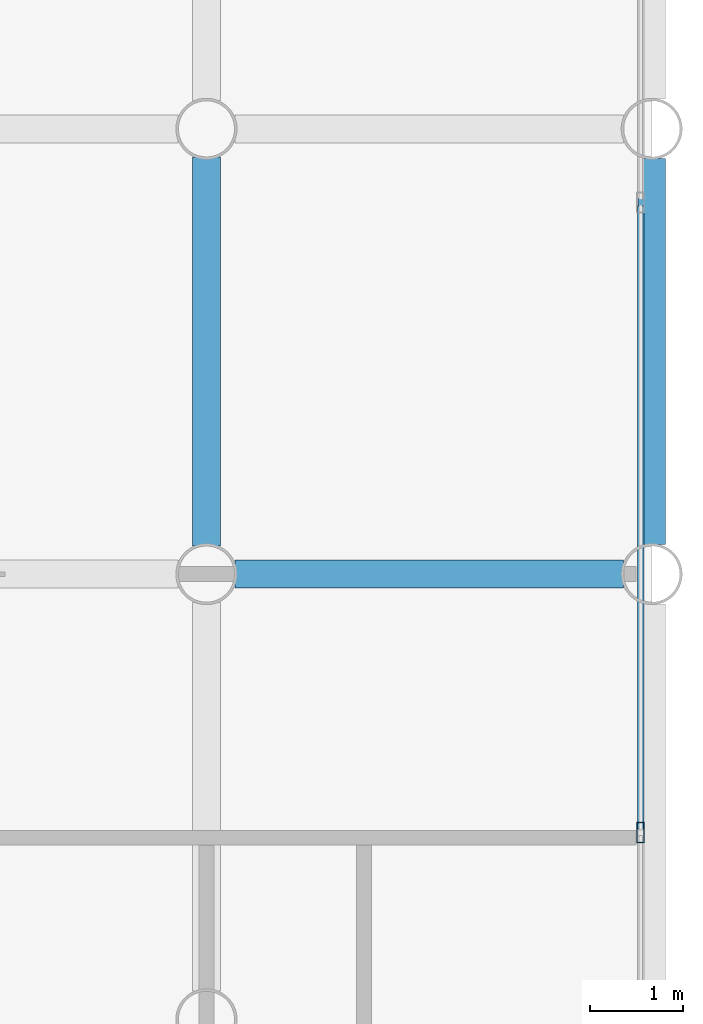
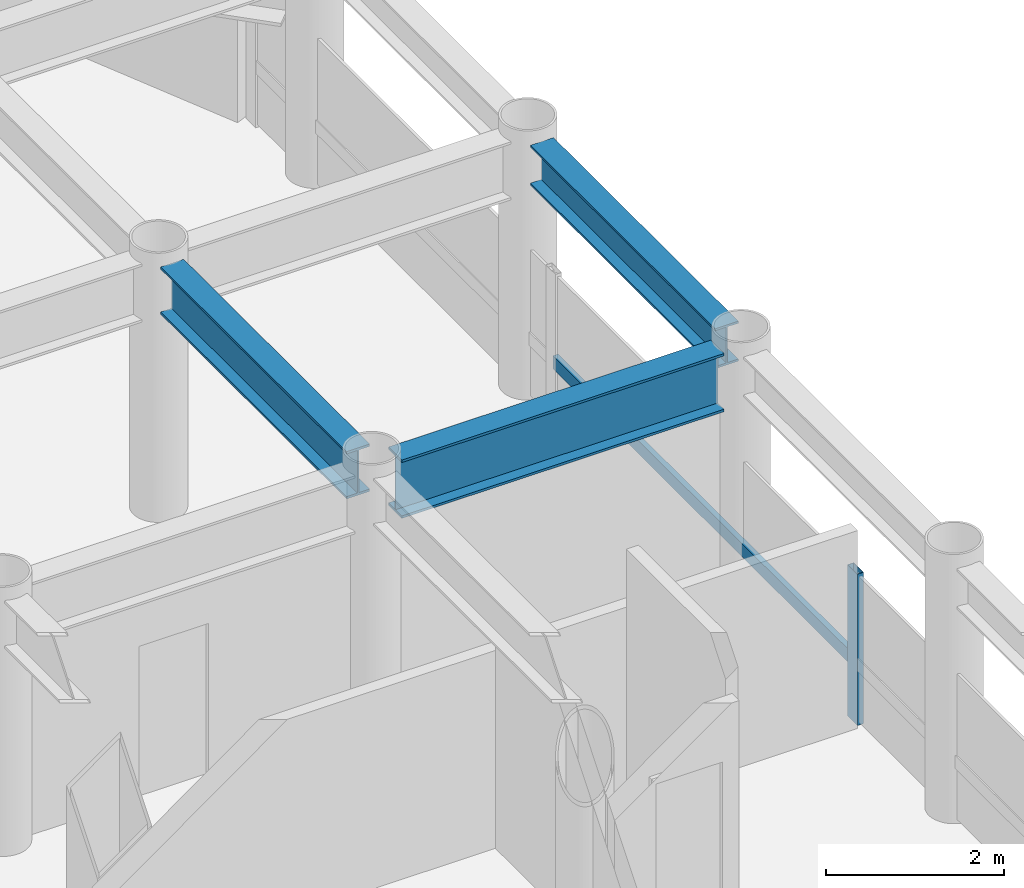
# One storey, part 10 of 22: 3 beams, 2 members, 1 element without a shape of its own.
"""IFC4 building model written with IfcOpenShell, lengths in metres."""

from ifc_helpers import new_model, si_unit, direction, frame, origin, origin_2d, place, context, subcontext, project, spatial, hollow_rectangle, i_section, extrude, material, layer, layer_set, material_profile, profile_set, type_object, element, aggregate, save


model = new_model("IFC4")

# Units and contexts
model_context = context("Model", 3, precision=1e-05, world=origin(), true_north=direction((0.0, 1.0)))
body_context = subcontext(model_context, "Body", "Model", "MODEL_VIEW")
ifc_project = project(units=[si_unit("LENGTHUNIT", "METRE"), si_unit("AREAUNIT", "SQUARE_METRE"), si_unit("VOLUMEUNIT", "CUBIC_METRE"), si_unit("PLANEANGLEUNIT", "RADIAN"), si_unit("MASSUNIT", "GRAM", prefix="KILO")], contexts=[model_context])

# Site, building, storey
site_placement = place(None, origin())
site = spatial("IfcSite", under=ifc_project, at=site_placement, CompositionType="ELEMENT")
building_placement = place(site_placement, origin())
building = spatial("IfcBuilding", under=site, at=building_placement, Name="Kallvorn Hotel Tower", CompositionType="ELEMENT")
storey_placement = place(building_placement, frame((0.0, 0.0, 106.300048828125)))
storey = spatial("IfcBuildingStorey", under=building, at=storey_placement, Name="L25", CompositionType="ELEMENT", Elevation=106.300048828125)

# Beams
ifc_material_1 = material(Name="Structural steel S355JR", Category="steel")
ifc_material_profile_1 = material_profile(ifc_material_1, i_section(OverallWidth=0.300048828125, OverallDepth=0.550048828125, WebThickness=0.014892578125, FlangeThickness=0.029052734375, at=origin_2d()), Name="HE 550 B")
ifc_profile_set_1 = profile_set([ifc_material_profile_1], Name="Structural steel S355JR")
beam_type_1 = type_object("IfcBeamType", Name="BM_HE550B", PredefinedType="SPANDREL", material=ifc_profile_set_1)
beam_1_placement = place(storey_placement, frame((33.60009765625, 9.919921875, 3.244873046875), z_axis=(0.0, 1.0, 0.0), x_axis=(-1.0, 0.0, 0.0)))
element("IfcBeam", 1, at=beam_1_placement, inside=storey, type_object=beam_type_1, Name="L26 Perimeter Spandrel 187", PredefinedType="SPANDREL", context=body_context, shape_type="SweptSolid", body=[
    extrude(i_section(OverallWidth=0.300048828125, OverallDepth=0.550048828125, WebThickness=0.014892578125, FlangeThickness=0.029052734375, at=origin_2d()), origin(), (0.0, 0.0, 1.0), 4.16015625),
])
ifc_material_2 = material(Name="Structural steel S355JR", Category="steel")
ifc_material_profile_2 = material_profile(ifc_material_2, i_section(OverallWidth=0.300048828125, OverallDepth=0.64990234375, WebThickness=0.01611328125, FlangeThickness=0.031005859375, at=origin_2d()), Name="HE 650 B")
ifc_profile_set_2 = profile_set([ifc_material_profile_2], Name="Structural steel S355JR")
beam_type_2 = type_object("IfcBeamType", Name="BM_HE650B", PredefinedType="BEAM", material=ifc_profile_set_2)
beam_2_placement = place(storey_placement, frame((28.800048828125, 9.905029296875, 3.195068359375), z_axis=(0.0, 1.0, 0.0), x_axis=(-1.0, 0.0, 0.0)))
element("IfcBeam", 2, at=beam_2_placement, inside=storey, type_object=beam_type_2, Name="L26 Primary Y-Girder 148", PredefinedType="BEAM", context=body_context, shape_type="SweptSolid", body=[
    extrude(i_section(OverallWidth=0.300048828125, OverallDepth=0.64990234375, WebThickness=0.01611328125, FlangeThickness=0.031005859375, at=origin_2d()), origin(), (0.0, 0.0, 1.0), 4.18994140625),
])
ifc_material_3 = material(Name="Structural steel S355JR", Category="steel")
ifc_material_profile_3 = material_profile(ifc_material_3, i_section(OverallWidth=0.300048828125, OverallDepth=0.800048828125, WebThickness=0.017578125, FlangeThickness=0.032958984375, at=origin_2d()), Name="HE 800 B")
ifc_profile_set_3 = profile_set([ifc_material_profile_3], Name="Structural steel S355JR")
beam_type_3 = type_object("IfcBeamType", Name="BM_HE800B", PredefinedType="BEAM", material=ifc_profile_set_3)
beam_3_placement = place(storey_placement, frame((29.10498046875, 9.60009765625, 3.119873046875), z_axis=(1.0, 0.0, 0.0), x_axis=(0.0, 1.0, 0.0)))
element("IfcBeam", 3, at=beam_3_placement, inside=storey, type_object=beam_type_3, Name="L26 Primary X-Girder 49", PredefinedType="BEAM", context=body_context, shape_type="SweptSolid", body=[
    extrude(i_section(OverallWidth=0.300048828125, OverallDepth=0.800048828125, WebThickness=0.017578125, FlangeThickness=0.032958984375, at=origin_2d()), origin(), (0.0, 0.0, 1.0), 4.18994140625),
])

# Curtain wall, members
ifc_material_4 = material(Name="Thermally broken black-anodised aluminium AA 6063-T6", Category="aluminium")
ifc_layer = layer(ifc_material_4, 0.199951171875)
ifc_layer_set = layer_set([ifc_layer], Name="CW_SYS_3_HOTEL_LOW")
curtain_wall_type = type_object("IfcCurtainWallType", Name="CW_SYS_3_HOTEL_LOW", PredefinedType="USERDEFINED", material=ifc_layer_set)
curtain_wall_placement = place(storey_placement, origin())
curtain_wall = element("IfcCurtainWall", 4, at=curtain_wall_placement, inside=storey, type_object=curtain_wall_type, Name="L25 Dark-Glass Curtain Wall CW-L25-EN", ObjectType="UNITISED CURTAIN WALL", PredefinedType="USERDEFINED")
ifc_material_5 = material(Name="Thermally broken black-anodised aluminium AA 6063-T6", Category="aluminium")
ifc_material_profile_4 = material_profile(ifc_material_5, hollow_rectangle(XDim=0.080078125, YDim=0.219970703125, WallThickness=0.0048828125, at=origin_2d()), Name="MUL 220x80")
ifc_profile_set_4 = profile_set([ifc_material_profile_4], Name="Thermally broken black-anodised aluminium AA 6063-T6")
member_type_1 = type_object("IfcMemberType", Name="CW_MULLION_220x80", PredefinedType="MULLION", material=ifc_profile_set_4)
member_1_placement = place(storey_placement, frame((33.47998046875, 6.813232421875, 0.02001953125), z_axis=(0.0, 0.0, 1.0), x_axis=(1.0, 0.0, 0.0)))
member_1 = element("IfcMember", 5, at=member_1_placement, type_object=member_type_1, Name="CW-L25-EN Mullion 01", PredefinedType="MULLION", context=body_context, shape_type="SweptSolid", body=[
    extrude(hollow_rectangle(XDim=0.080078125, YDim=0.219970703125, WallThickness=0.0048828125, at=origin_2d()), origin(), (0.0, 0.0, 1.0), 2.079833984375),
])
ifc_material_6 = material(Name="Thermally broken black-anodised aluminium AA 6063-T6", Category="aluminium")
ifc_material_profile_5 = material_profile(ifc_material_6, hollow_rectangle(XDim=0.070068359375, YDim=0.179931640625, WallThickness=0.00390625, at=origin_2d()), Name="TRN 180x70")
ifc_profile_set_5 = profile_set([ifc_material_profile_5], Name="Thermally broken black-anodised aluminium AA 6063-T6")
member_type_2 = type_object("IfcMemberType", Name="CW_TRANSOM_180x70", PredefinedType="USERDEFINED", material=ifc_profile_set_5)
member_2_placement = place(storey_placement, frame((33.47998046875, 6.853271484375, 0.849853515625), z_axis=(0.0, 1.0, 0.0), x_axis=(-1.0, 0.0, 0.0)))
member_2 = element("IfcMember", 6, at=member_2_placement, type_object=member_type_2, Name="CW-L25-EN Transom 01M", ObjectType="TRANSOM", PredefinedType="USERDEFINED", context=body_context, shape_type="SweptSolid", body=[
    extrude(hollow_rectangle(XDim=0.070068359375, YDim=0.179931640625, WallThickness=0.00390625, at=origin_2d()), origin(), (0.0, 0.0, 1.0), 6.71337890625),
])
aggregate(curtain_wall, [member_1, member_2])

save(model, "model.ifc")
